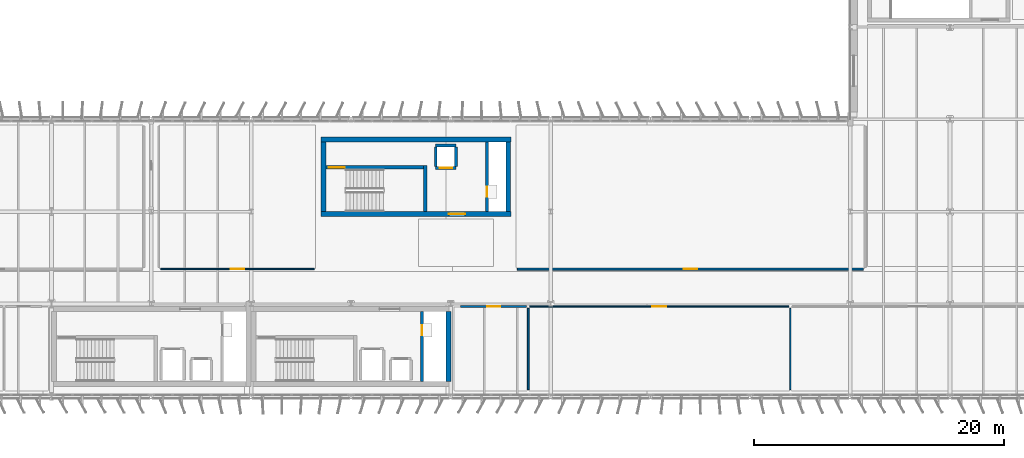
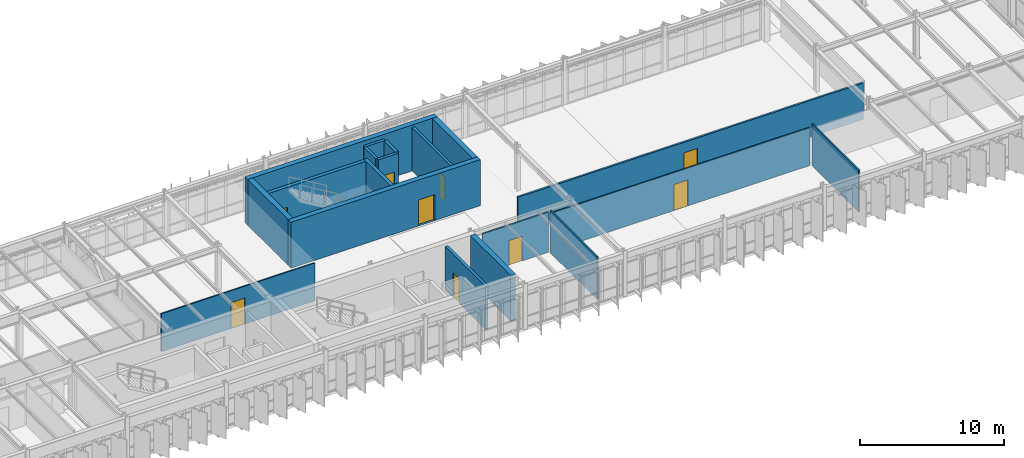
# One storey, part 33 of 45: 19 walls, 9 doors, 9 openings.
"""IFC4 building model written with IfcOpenShell, lengths in metres."""

from ifc_helpers import new_model, si_unit, direction, frame, frame_2d, origin, place, context, subcontext, project, spatial, rectangle, extrude, material, layer, layer_set, type_object, element, fill, save


model = new_model("IFC4")

# Units and contexts
model_context = context("Model", 3, precision=1e-05, world=origin(), true_north=direction((0.0, 1.0)))
body_context = subcontext(model_context, "Body", "Model", "MODEL_VIEW")
ifc_project = project(units=[si_unit("LENGTHUNIT", "METRE"), si_unit("AREAUNIT", "SQUARE_METRE"), si_unit("VOLUMEUNIT", "CUBIC_METRE"), si_unit("PLANEANGLEUNIT", "RADIAN"), si_unit("MASSUNIT", "GRAM", prefix="KILO")], contexts=[model_context])

# Site, building, storey
site_placement = place(None, origin())
site = spatial("IfcSite", under=ifc_project, at=site_placement, CompositionType="ELEMENT")
building_placement = place(site_placement, origin())
building = spatial("IfcBuilding", under=site, at=building_placement, Name="Valkorina Park Police Headquarters", CompositionType="ELEMENT")
storey_placement = place(building_placement, frame((0.0, 0.0, 23.300048828125)))
storey = spatial("IfcBuildingStorey", under=building, at=storey_placement, Name="L06", CompositionType="ELEMENT", Elevation=23.300048828125)

# Wall, opening, door
ifc_material_1 = material(Name="Acoustic mineral board")
ifc_layer_1 = layer(ifc_material_1, 0.14990234375)
ifc_layer_set_1 = layer_set([ifc_layer_1], Name="Acoustic mineral board")
wall_type_1 = type_object("IfcWallType", Name="WL-ACOUST-150-EI30", PredefinedType="PARTITIONING", material=ifc_layer_set_1)
wall_1_placement = place(storey_placement, frame((54.139892578125, 47.199951171875, 0.0), z_axis=(0.0, 0.0, 1.0), x_axis=(1.0, 0.0, 0.0)))
wall_1 = element("IfcWall", 1, at=wall_1_placement, inside=storey, type_object=wall_type_1, Name="L06 Interior Partition 0255 (L06-MAJ-06)", PredefinedType="PARTITIONING", context=body_context, shape_type="SweptSolid", body=[
    extrude(rectangle(XDim=27.72021484375, YDim=0.14990234375, at=frame_2d((13.860107421875, 0.0))), origin(), (0.0, 0.0, 1.0), 3.099853515625),
])
opening_1_placement = place(wall_1_placement, frame((13.31005859375, 0.0, 0.0)))
opening_1 = element("IfcOpeningElement", 2, at=opening_1_placement, cuts=wall_1, Name="Opening ID-05", PredefinedType="OPENING", context=body_context, shape_type="SweptSolid", body=[
    extrude(rectangle(XDim=1.10009765625, YDim=2.199951171875, at=frame_2d((0.550048828125, 1.10009765625))), frame((0.0, 0.0849609375, 0.0), z_axis=(0.0, -1.0, 0.0), x_axis=(1.0, 0.0, 0.0)), (0.0, 0.0, 1.0), 0.169921875),
])
ifc_material_2 = material(Name="Thermally broken aluminium AW-6060", Category="aluminium")
ifc_layer_2 = layer(ifc_material_2, 0.050048828125)
ifc_layer_set_2 = layer_set([ifc_layer_2], Name="Thermally broken aluminium AW-6060")
door_type_1 = type_object("IfcDoorType", Name="DR-INT-INV-1100x2200", OperationType="NOTDEFINED", PredefinedType="DOOR", material=ifc_layer_set_2)
door_1_placement = place(opening_1_placement, origin())
door_1 = element("IfcDoor", 3, at=door_1_placement, inside=storey, type_object=door_type_1, Name="Door D-L06-I123 (L06-MAJ-06)", OperationType="SINGLE_SWING_RIGHT", OverallHeight=2.199951171875, OverallWidth=1.10009765625, PredefinedType="DOOR", context=body_context, shape_type="SweptSolid", body=[
    extrude(rectangle(XDim=1.10009765625, YDim=2.199951171875, at=frame_2d((0.550048828125, 1.10009765625))), frame((0.0, 0.02490234375, 0.0), z_axis=(0.0, -1.0, 0.0), x_axis=(1.0, 0.0, 0.0)), (0.0, 0.0, 1.0), 0.050048828125),
])
fill(opening_1, door_1)

ifc_material_3 = material(Name="Autoclaved aerated concrete masonry", Category="masonry")
ifc_layer_3 = layer(ifc_material_3, 0.219970703125)
ifc_layer_set_3 = layer_set([ifc_layer_3], Name="Autoclaved aerated concrete masonry")
wall_type_2 = type_object("IfcWallType", Name="WL-CHASE-220-EI60", PredefinedType="PLUMBINGWALL", material=ifc_layer_set_3)
wall_2_placement = place(storey_placement, frame((46.489990234375, 38.199951171875, 0.0), z_axis=(0.0, 0.0, 1.0), x_axis=(0.0, 1.0, 0.0)))
wall_2 = element("IfcWall", 4, at=wall_2_placement, inside=storey, type_object=wall_type_2, Name="Core C2 L06 Riser Shaft West Wall", PredefinedType="PLUMBINGWALL", context=body_context, shape_type="SweptSolid", body=[
    extrude(rectangle(XDim=5.60009765625, YDim=0.219970703125, at=frame_2d((2.800048828125, 0.0))), origin(), (0.0, 0.0, 1.0), 3.679931640625),
])
opening_2_placement = place(wall_2_placement, frame((3.699951171875, 0.0, 0.0)))
opening_2 = element("IfcOpeningElement", 5, at=opening_2_placement, cuts=wall_2, Name="Opening ID-01", PredefinedType="OPENING", context=body_context, shape_type="SweptSolid", body=[
    extrude(rectangle(XDim=0.800048828125, YDim=2.10009765625, at=frame_2d((0.39990234375, 1.050048828125))), frame((0.0, 0.1201171875, 0.0), z_axis=(0.0, -1.0, 0.0), x_axis=(1.0, 0.0, 0.0)), (0.0, 0.0, 1.0), 0.239990234375),
])
ifc_material_4 = material(Name="Galvanized steel door leaf", Category="steel")
ifc_layer_4 = layer(ifc_material_4, 0.050048828125)
ifc_layer_set_4 = layer_set([ifc_layer_4], Name="Galvanized steel door leaf")
door_type_2 = type_object("IfcDoorType", Name="DR-INT-RISER-800x2100", OperationType="NOTDEFINED", PredefinedType="DOOR", material=ifc_layer_set_4)
door_2_placement = place(opening_2_placement, origin())
door_2 = element("IfcDoor", 6, at=door_2_placement, inside=storey, type_object=door_type_2, Name="Riser Shaft Access Door C2-L06", OperationType="SINGLE_SWING_RIGHT", OverallHeight=2.10009765625, OverallWidth=0.800048828125, PredefinedType="DOOR", context=body_context, shape_type="SweptSolid", body=[
    extrude(rectangle(XDim=0.800048828125, YDim=2.10009765625, at=frame_2d((0.39990234375, 1.050048828125))), frame((0.0, 0.02490234375, 0.0), z_axis=(0.0, -1.0, 0.0), x_axis=(1.0, 0.0, 0.0)), (0.0, 0.0, 1.0), 0.050048828125),
])
fill(opening_2, door_2)

wall_3_placement = place(storey_placement, frame((47.590087890625, 55.2900390625, 0.0), z_axis=(0.0, 0.0, 1.0), x_axis=(1.0, 0.0, 0.0)))
wall_3 = element("IfcWall", 7, at=wall_3_placement, inside=storey, type_object=wall_type_2, Name="Lift LF-05 L06 Shaft Front Wall", PredefinedType="PLUMBINGWALL", context=body_context, shape_type="SweptSolid", body=[
    extrude(rectangle(XDim=1.619873046875, YDim=0.219970703125, at=frame_2d((0.81005859375, 0.0))), origin(), (0.0, 0.0, 1.0), 3.679931640625),
])
opening_3_placement = place(wall_3_placement, frame((0.31005859375, 0.0, 0.0)))
opening_3 = element("IfcOpeningElement", 8, at=opening_3_placement, cuts=wall_3, Name="Opening LD-02", PredefinedType="OPENING", context=body_context, shape_type="SweptSolid", body=[
    extrude(rectangle(XDim=1.0, YDim=2.199951171875, at=frame_2d((0.5, 1.10009765625))), frame((0.0, 0.1201171875, 0.0), z_axis=(0.0, -1.0, 0.0), x_axis=(1.0, 0.0, 0.0)), (0.0, 0.0, 1.0), 0.239990234375),
])
ifc_material_5 = material(Name="Stainless steel EN 1.4404", Category="steel")
ifc_layer_5 = layer(ifc_material_5, 0.050048828125)
ifc_layer_set_5 = layer_set([ifc_layer_5], Name="Stainless steel EN 1.4404")
door_type_3 = type_object("IfcDoorType", Name="DR-LIFT-PAX-1000x2200", OperationType="NOTDEFINED", PredefinedType="DOOR", material=ifc_layer_set_5)
door_3_placement = place(opening_3_placement, origin())
door_3 = element("IfcDoor", 9, at=door_3_placement, inside=storey, type_object=door_type_3, Name="Lift Landing Door LF-05-L06", OperationType="DOUBLE_DOOR_SLIDING", OverallHeight=2.199951171875, OverallWidth=1.0, PredefinedType="DOOR", context=body_context, shape_type="SweptSolid", body=[
    extrude(rectangle(XDim=1.0, YDim=2.199951171875, at=frame_2d((0.5, 1.10009765625))), frame((0.0, 0.02490234375, 0.0), z_axis=(0.0, -1.0, 0.0), x_axis=(1.0, 0.0, 0.0)), (0.0, 0.0, 1.0), 0.050048828125),
])
fill(opening_3, door_3)

# Walls
wall_4_placement = place(storey_placement, frame((47.590087890625, 57.110107421875, 0.0), z_axis=(0.0, 0.0, 1.0), x_axis=(1.0, 0.0, 0.0)))
element("IfcWall", 10, at=wall_4_placement, inside=storey, type_object=wall_type_2, Name="Lift LF-05 L06 Shaft Back Wall", PredefinedType="PLUMBINGWALL", context=body_context, shape_type="SweptSolid", body=[
    extrude(rectangle(XDim=1.619873046875, YDim=0.219970703125, at=frame_2d((0.81005859375, 0.0))), origin(), (0.0, 0.0, 1.0), 3.679931640625),
])
for number, where, z_axis, x_axis, name in (
    (11, (47.590087890625, 55.39990234375, 0.0), (0.0, 0.0, 1.0), (0.0, 1.0, 0.0), "Lift LF-05 L06 Shaft Side Wall W"),
    (12, (49.2099609375, 55.39990234375, 0.0), (0.0, 0.0, 1.0), (0.0, 1.0, 0.0), "Lift LF-05 L06 Shaft Side Wall E"),
):
    element("IfcWall", number, at=place(storey_placement, frame(where, z_axis=z_axis, x_axis=x_axis)), inside=storey, type_object=wall_type_2, Name=name, PredefinedType="PLUMBINGWALL", context=body_context, shape_type="SweptSolid", body=[
        extrude(rectangle(XDim=1.60009765625, YDim=0.219970703125, at=frame_2d((0.800048828125, 0.0))), origin(), (0.0, 0.0, 1.0), 3.679931640625),
    ])

# Wall, opening, door
wall_5_placement = place(storey_placement, frame((51.68994140625, 51.800048828125, 0.0), z_axis=(0.0, 0.0, 1.0), x_axis=(0.0, 1.0, 0.0)))
wall_5 = element("IfcWall", 13, at=wall_5_placement, inside=storey, type_object=wall_type_2, Name="Core C3 L06 Riser Shaft West Wall", PredefinedType="PLUMBINGWALL", context=body_context, shape_type="SweptSolid", body=[
    extrude(rectangle(XDim=5.599853515625, YDim=0.219970703125, at=frame_2d((2.7998046875, 0.0))), origin(), (0.0, 0.0, 1.0), 3.679931640625),
])
opening_4_placement = place(wall_5_placement, frame((1.199951171875, 0.0, 0.0)))
opening_4 = element("IfcOpeningElement", 14, at=opening_4_placement, cuts=wall_5, Name="Opening ID-01", PredefinedType="OPENING", context=body_context, shape_type="SweptSolid", body=[
    extrude(rectangle(XDim=0.800048828125, YDim=2.10009765625, at=frame_2d((0.39990234375, 1.050048828125))), frame((0.0, 0.1201171875, 0.0), z_axis=(0.0, -1.0, 0.0), x_axis=(1.0, 0.0, 0.0)), (0.0, 0.0, 1.0), 0.239990234375),
])
door_4_placement = place(opening_4_placement, origin())
door_4 = element("IfcDoor", 15, at=door_4_placement, inside=storey, type_object=door_type_2, Name="Riser Shaft Access Door C3-L06", OperationType="SINGLE_SWING_RIGHT", OverallHeight=2.10009765625, OverallWidth=0.800048828125, PredefinedType="DOOR", context=body_context, shape_type="SweptSolid", body=[
    extrude(rectangle(XDim=0.800048828125, YDim=2.10009765625, at=frame_2d((0.39990234375, 1.050048828125))), frame((0.0, 0.02490234375, 0.0), z_axis=(0.0, -1.0, 0.0), x_axis=(1.0, 0.0, 0.0)), (0.0, 0.0, 1.0), 0.050048828125),
])
fill(opening_4, door_4)

# Wall
ifc_material_6 = material(Name="Concrete C40/50", Category="concrete")
ifc_layer_6 = layer(ifc_material_6, 0.39990234375)
ifc_layer_set_6 = layer_set([ifc_layer_6], Name="Concrete C40/50")
wall_type_3 = type_object("IfcWallType", Name="WL-CORE-400-REI180", PredefinedType="SHEAR", material=ifc_layer_set_6)
wall_6_placement = place(storey_placement, frame((48.60009765625, 38.199951171875, 0.0), z_axis=(0.0, 0.0, 1.0), x_axis=(0.0, 1.0, 0.0)))
element("IfcWall", 16, at=wall_6_placement, inside=storey, type_object=wall_type_3, Name="Core C2 L06 Shear Wall E", PredefinedType="SHEAR", context=body_context, shape_type="SweptSolid", body=[
    extrude(rectangle(XDim=5.60009765625, YDim=0.39990234375, at=frame_2d((2.800048828125, 0.0))), origin(), (0.0, 0.0, 1.0), 3.89501953125),
])

# Wall, opening, door
wall_7_placement = place(storey_placement, frame((38.39990234375, 51.60009765625, 0.0), z_axis=(0.0, 0.0, 1.0), x_axis=(1.0, 0.0, 0.0)))
wall_7 = element("IfcWall", 17, at=wall_7_placement, inside=storey, type_object=wall_type_3, Name="Core C3 L06 Shear Wall S", PredefinedType="SHEAR", context=body_context, shape_type="SweptSolid", body=[
    extrude(rectangle(XDim=15.2001953125, YDim=0.39990234375, at=frame_2d((7.60009765625, 0.0))), origin(), (0.0, 0.0, 1.0), 3.89501953125),
])
opening_5_placement = place(wall_7_placement, frame((10.25, 0.0, 0.0)))
opening_5 = element("IfcOpeningElement", 18, at=opening_5_placement, cuts=wall_7, Name="Opening FD-03", PredefinedType="OPENING", context=body_context, shape_type="SweptSolid", body=[
    extrude(rectangle(XDim=1.300048828125, YDim=2.199951171875, at=frame_2d((0.64990234375, 1.10009765625))), frame((0.0, 0.2099609375, 0.0), z_axis=(0.0, -1.0, 0.0), x_axis=(1.0, 0.0, 0.0)), (0.0, 0.0, 1.0), 0.419921875),
])
ifc_layer_7 = layer(ifc_material_4, 0.050048828125)
ifc_layer_set_7 = layer_set([ifc_layer_7], Name="Galvanized steel door leaf")
door_type_4 = type_object("IfcDoorType", Name="DR-FIRE-STAIR-1300x2200", OperationType="NOTDEFINED", PredefinedType="DOOR", material=ifc_layer_set_7)
door_5_placement = place(opening_5_placement, origin())
door_5 = element("IfcDoor", 19, at=door_5_placement, inside=storey, type_object=door_type_4, Name="Door D-L06-LBY-C3 (Core C3 Lobby Fire Door)", OperationType="SINGLE_SWING_LEFT", OverallHeight=2.199951171875, OverallWidth=1.300048828125, PredefinedType="DOOR", context=body_context, shape_type="SweptSolid", body=[
    extrude(rectangle(XDim=1.300048828125, YDim=2.199951171875, at=frame_2d((0.64990234375, 1.10009765625))), frame((0.0, 0.02490234375, 0.0), z_axis=(0.0, -1.0, 0.0), x_axis=(1.0, 0.0, 0.0)), (0.0, 0.0, 1.0), 0.050048828125),
])
fill(opening_5, door_5)

# Walls
wall_8_placement = place(storey_placement, frame((38.39990234375, 57.60009765625, 0.0), z_axis=(0.0, 0.0, 1.0), x_axis=(1.0, 0.0, 0.0)))
element("IfcWall", 20, at=wall_8_placement, inside=storey, type_object=wall_type_3, Name="Core C3 L06 Shear Wall N", PredefinedType="SHEAR", context=body_context, shape_type="SweptSolid", body=[
    extrude(rectangle(XDim=15.2001953125, YDim=0.39990234375, at=frame_2d((7.60009765625, 0.0))), origin(), (0.0, 0.0, 1.0), 3.89501953125),
])
for number, where, z_axis, x_axis, name in (
    (21, (38.60009765625, 51.800048828125, 0.0), (0.0, 0.0, 1.0), (0.0, 1.0, 0.0), "Core C3 L06 Shear Wall W"),
    (22, (53.39990234375, 51.800048828125, 0.0), (0.0, 0.0, 1.0), (0.0, 1.0, 0.0), "Core C3 L06 Shear Wall E"),
):
    element("IfcWall", number, at=place(storey_placement, frame(where, z_axis=z_axis, x_axis=x_axis)), inside=storey, type_object=wall_type_3, Name=name, PredefinedType="SHEAR", context=body_context, shape_type="SweptSolid", body=[
        extrude(rectangle(XDim=5.599853515625, YDim=0.39990234375, at=frame_2d((2.7998046875, 0.0))), origin(), (0.0, 0.0, 1.0), 3.89501953125),
    ])

# Wall, opening, door
ifc_material_7 = material(Name="Gypsum plasterboard")
ifc_layer_8 = layer(ifc_material_7, 0.10009765625)
ifc_layer_set_8 = layer_set([ifc_layer_8], Name="Gypsum plasterboard")
wall_type_4 = type_object("IfcWallType", Name="WL-PART-100", PredefinedType="PARTITIONING", material=ifc_layer_set_8)
wall_9_placement = place(storey_placement, frame((25.5400390625, 47.199951171875, 0.0), z_axis=(0.0, 0.0, 1.0), x_axis=(1.0, 0.0, 0.0)))
wall_9 = element("IfcWall", 23, at=wall_9_placement, inside=storey, type_object=wall_type_4, Name="L06 Interior Partition 0251 (L06-MAJ-03)", PredefinedType="PARTITIONING", context=body_context, shape_type="SweptSolid", body=[
    extrude(rectangle(XDim=12.320068359375, YDim=0.10009765625, at=frame_2d((6.16015625, 0.0))), origin(), (0.0, 0.0, 1.0), 3.2099609375),
])
opening_6_placement = place(wall_9_placement, frame((5.610107421875, 0.0, 0.0)))
opening_6 = element("IfcOpeningElement", 24, at=opening_6_placement, cuts=wall_9, Name="Opening ID-05", PredefinedType="OPENING", context=body_context, shape_type="SweptSolid", body=[
    extrude(rectangle(XDim=1.10009765625, YDim=2.199951171875, at=frame_2d((0.550048828125, 1.10009765625))), frame((0.0, 0.06005859375, 0.0), z_axis=(0.0, -1.0, 0.0), x_axis=(1.0, 0.0, 0.0)), (0.0, 0.0, 1.0), 0.1201171875),
])
door_6_placement = place(opening_6_placement, origin())
door_6 = element("IfcDoor", 25, at=door_6_placement, inside=storey, type_object=door_type_1, Name="Door D-L06-I121 (L06-MAJ-03)", OperationType="SINGLE_SWING_RIGHT", OverallHeight=2.199951171875, OverallWidth=1.10009765625, PredefinedType="DOOR", context=body_context, shape_type="SweptSolid", body=[
    extrude(rectangle(XDim=1.10009765625, YDim=2.199951171875, at=frame_2d((0.550048828125, 1.10009765625))), frame((0.0, 0.02490234375, 0.0), z_axis=(0.0, -1.0, 0.0), x_axis=(1.0, 0.0, 0.0)), (0.0, 0.0, 1.0), 0.050048828125),
])
fill(opening_6, door_6)

wall_10_placement = place(storey_placement, frame((55.139892578125, 44.199951171875, 0.0), z_axis=(0.0, 0.0, 1.0), x_axis=(1.0, 0.0, 0.0)))
wall_10 = element("IfcWall", 26, at=wall_10_placement, inside=storey, type_object=wall_type_4, Name="L06 Interior Partition 0253 (L06-MAJ-05)", PredefinedType="PARTITIONING", context=body_context, shape_type="SweptSolid", body=[
    extrude(rectangle(XDim=20.72021484375, YDim=0.10009765625, at=frame_2d((10.360107421875, 0.0))), origin(), (0.0, 0.0, 1.0), 3.2099609375),
])
opening_7_placement = place(wall_10_placement, frame((9.81005859375, 0.0, 0.0)))
opening_7 = element("IfcOpeningElement", 27, at=opening_7_placement, cuts=wall_10, Name="Opening ID-05", PredefinedType="OPENING", context=body_context, shape_type="SweptSolid", body=[
    extrude(rectangle(XDim=1.10009765625, YDim=2.199951171875, at=frame_2d((0.550048828125, 1.10009765625))), frame((0.0, 0.06005859375, 0.0), z_axis=(0.0, -1.0, 0.0), x_axis=(1.0, 0.0, 0.0)), (0.0, 0.0, 1.0), 0.1201171875),
])
door_7_placement = place(opening_7_placement, origin())
door_7 = element("IfcDoor", 28, at=door_7_placement, inside=storey, type_object=door_type_1, Name="Door D-L06-I122 (L06-MAJ-05)", OperationType="SINGLE_SWING_LEFT", OverallHeight=2.199951171875, OverallWidth=1.10009765625, PredefinedType="DOOR", context=body_context, shape_type="SweptSolid", body=[
    extrude(rectangle(XDim=1.10009765625, YDim=2.199951171875, at=frame_2d((0.550048828125, 1.10009765625))), frame((0.0, 0.02490234375, 0.0), z_axis=(0.0, -1.0, 0.0), x_axis=(1.0, 0.0, 0.0)), (0.0, 0.0, 1.0), 0.050048828125),
])
fill(opening_7, door_7)

# Wall
wall_11_placement = place(storey_placement, frame((76.0, 37.5400390625, 0.0), z_axis=(0.0, 0.0, 1.0), x_axis=(0.0, 1.0, 0.0)))
element("IfcWall", 29, at=wall_11_placement, inside=storey, type_object=wall_type_4, Name="L06 Interior Partition 0254 (L06-MAJ-05)", PredefinedType="PARTITIONING", context=body_context, shape_type="SweptSolid", body=[
    extrude(rectangle(XDim=6.52001953125, YDim=0.10009765625, at=frame_2d((3.260009765625, 0.0))), origin(), (0.0, 0.0, 1.0), 3.570068359375),
])

# Wall, opening, door
ifc_layer_9 = layer(ifc_material_7, 0.125)
ifc_layer_set_9 = layer_set([ifc_layer_9], Name="Gypsum plasterboard")
wall_type_5 = type_object("IfcWallType", Name="WL-PART-125-EI30", PredefinedType="PARTITIONING", material=ifc_layer_set_9)
wall_12_placement = place(storey_placement, frame((49.590087890625, 44.199951171875, 0.0), z_axis=(0.0, 0.0, 1.0), x_axis=(1.0, 0.0, 0.0)))
wall_12 = element("IfcWall", 30, at=wall_12_placement, inside=storey, type_object=wall_type_5, Name="L06 Interior Partition 0249 (L06-WC-A)", PredefinedType="PARTITIONING", context=body_context, shape_type="SweptSolid", body=[
    extrude(rectangle(XDim=5.27001953125, YDim=0.125, at=frame_2d((2.635009765625, 0.0))), origin(), (0.0, 0.0, 1.0), 3.389892578125),
])
opening_8_placement = place(wall_12_placement, frame((2.110107421875, 0.0, 0.0)))
opening_8 = element("IfcOpeningElement", 31, at=opening_8_placement, cuts=wall_12, Name="Opening ID-03", PredefinedType="OPENING", context=body_context, shape_type="SweptSolid", body=[
    extrude(rectangle(XDim=1.050048828125, YDim=2.10009765625, at=frame_2d((0.52490234375, 1.050048828125))), frame((0.0, 0.072509765625, 0.0), z_axis=(0.0, -1.0, 0.0), x_axis=(1.0, 0.0, 0.0)), (0.0, 0.0, 1.0), 0.14501953125),
])
ifc_layer_10 = layer(ifc_material_2, 0.050048828125)
ifc_layer_set_10 = layer_set([ifc_layer_10], Name="Thermally broken aluminium AW-6060")
door_type_5 = type_object("IfcDoorType", Name="DR-INT-ACC-1050x2100", OperationType="NOTDEFINED", PredefinedType="DOOR", material=ifc_layer_set_10)
door_8_placement = place(opening_8_placement, origin())
door_8 = element("IfcDoor", 32, at=door_8_placement, inside=storey, type_object=door_type_5, Name="Door D-L06-I120 (L06-WC-A)", OperationType="SINGLE_SWING_LEFT", OverallHeight=2.10009765625, OverallWidth=1.050048828125, PredefinedType="DOOR", context=body_context, shape_type="SweptSolid", body=[
    extrude(rectangle(XDim=1.050048828125, YDim=2.10009765625, at=frame_2d((0.52490234375, 1.050048828125))), frame((0.0, 0.02490234375, 0.0), z_axis=(0.0, -1.0, 0.0), x_axis=(1.0, 0.0, 0.0)), (0.0, 0.0, 1.0), 0.050048828125),
])
fill(opening_8, door_8)

# Walls
wall_13_placement = place(storey_placement, frame((55.0, 37.5400390625, 0.0), z_axis=(0.0, 0.0, 1.0), x_axis=(0.0, 1.0, 0.0)))
element("IfcWall", 33, at=wall_13_placement, inside=storey, type_object=wall_type_5, Name="L06 Interior Partition 0250 (L06-WC-A)", PredefinedType="PARTITIONING", context=body_context, shape_type="SweptSolid", body=[
    extrude(rectangle(XDim=6.52001953125, YDim=0.125, at=frame_2d((3.260009765625, 0.0))), origin(), (0.0, 0.0, 1.0), 3.570068359375),
])
ifc_layer_11 = layer(ifc_material_6, 0.280029296875)
ifc_layer_set_11 = layer_set([ifc_layer_11], Name="Concrete C40/50")
wall_type_6 = type_object("IfcWallType", Name="WL-STAIR-280-REI120", PredefinedType="SHEAR", material=ifc_layer_set_11)
wall_14_placement = place(storey_placement, frame((46.739990234375, 51.800048828125, 0.0), z_axis=(0.0, 0.0, 1.0), x_axis=(0.0, 1.0, 0.0)))
element("IfcWall", 34, at=wall_14_placement, inside=storey, type_object=wall_type_6, Name="Core C3 L06 Shear Wall DIV", PredefinedType="SHEAR", context=body_context, shape_type="SweptSolid", body=[
    extrude(rectangle(XDim=3.679931640625, YDim=0.280029296875, at=frame_2d((1.83984375, 0.0))), origin(), (0.0, 0.0, 1.0), 3.89501953125),
])

# Wall, opening, door
wall_15_placement = place(storey_placement, frame((38.800048828125, 55.340087890625, 0.0), z_axis=(0.0, 0.0, 1.0), x_axis=(1.0, 0.0, 0.0)))
wall_15 = element("IfcWall", 35, at=wall_15_placement, inside=storey, type_object=wall_type_6, Name="Core C3 L06 Shear Wall SIDE", PredefinedType="SHEAR", context=body_context, shape_type="SweptSolid", body=[
    extrude(rectangle(XDim=7.800048828125, YDim=0.280029296875, at=frame_2d((3.89990234375, 0.0))), origin(), (0.0, 0.0, 1.0), 3.89501953125),
])
opening_9_placement = place(wall_15_placement, frame((0.199951171875, 0.0, 0.0)))
opening_9 = element("IfcOpeningElement", 36, at=opening_9_placement, cuts=wall_15, Name="Opening FD-03", PredefinedType="OPENING", context=body_context, shape_type="SweptSolid", body=[
    extrude(rectangle(XDim=1.300048828125, YDim=2.199951171875, at=frame_2d((0.64990234375, 1.10009765625))), frame((0.0, 0.14990234375, 0.0), z_axis=(0.0, -1.0, 0.0), x_axis=(1.0, 0.0, 0.0)), (0.0, 0.0, 1.0), 0.300048828125),
])
door_9_placement = place(opening_9_placement, origin())
door_9 = element("IfcDoor", 37, at=door_9_placement, inside=storey, type_object=door_type_4, Name="Door D-L06-C115 (ST-03 Stair Fire Door)", OperationType="SINGLE_SWING_RIGHT", OverallHeight=2.199951171875, OverallWidth=1.300048828125, PredefinedType="DOOR", context=body_context, shape_type="SweptSolid", body=[
    extrude(rectangle(XDim=1.300048828125, YDim=2.199951171875, at=frame_2d((0.64990234375, 1.10009765625))), frame((0.0, 0.02490234375, 0.0), z_axis=(0.0, -1.0, 0.0), x_axis=(1.0, 0.0, 0.0)), (0.0, 0.0, 1.0), 0.050048828125),
])
fill(opening_9, door_9)

save(model, "model.ifc")
